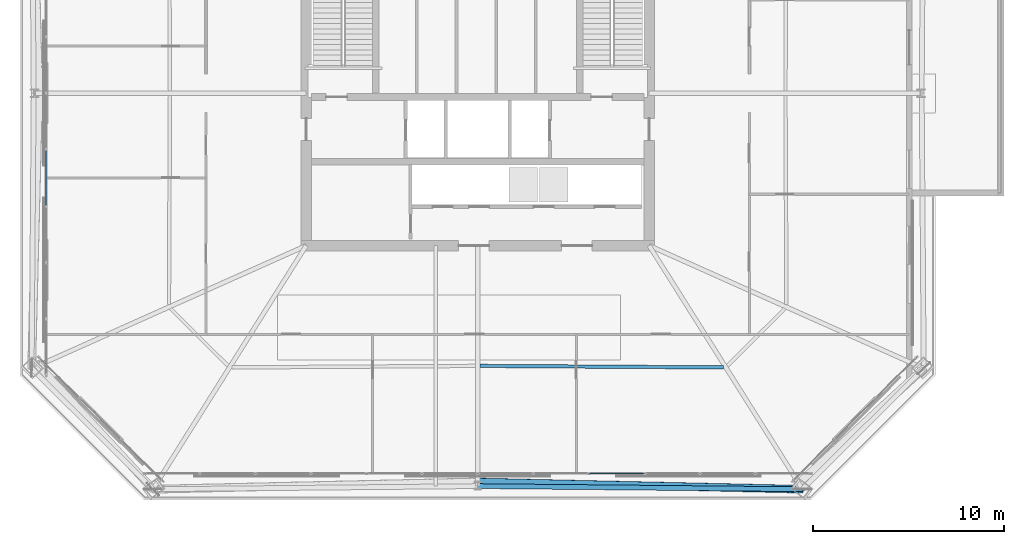
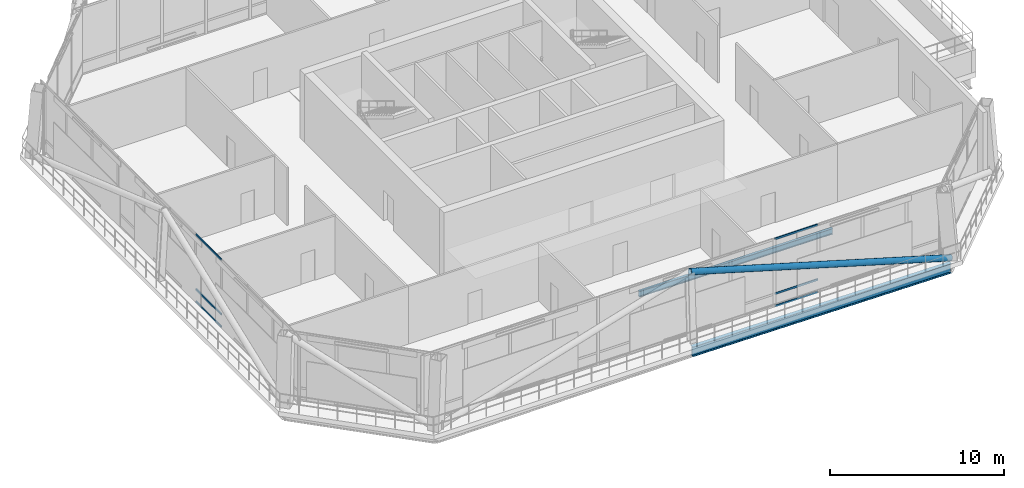
# One storey, part 10 of 34: 7 members, 2 beams, 2 elements without a shape of their own.
"""IFC4 building model written with IfcOpenShell, lengths in metres."""

from ifc_helpers import new_model, si_unit, direction, frame, origin, origin_2d, place, context, subcontext, project, spatial, hollow_rectangle, hollow_circle, i_section, extrude, material, layer, layer_set, material_profile, profile_set, type_object, element, aggregate, save


model = new_model("IFC4")

# Units and contexts
model_context = context("Model", 3, precision=1e-05, world=origin(), true_north=direction((0.0, 1.0)))
body_context = subcontext(model_context, "Body", "Model", "MODEL_VIEW")
ifc_project = project(units=[si_unit("LENGTHUNIT", "METRE"), si_unit("AREAUNIT", "SQUARE_METRE"), si_unit("VOLUMEUNIT", "CUBIC_METRE"), si_unit("PLANEANGLEUNIT", "RADIAN"), si_unit("MASSUNIT", "GRAM", prefix="KILO")], contexts=[model_context])

# Site, building, storey
site_placement = place(None, origin())
site = spatial("IfcSite", under=ifc_project, at=site_placement, CompositionType="ELEMENT")
building_placement = place(site_placement, origin())
building = spatial("IfcBuilding", under=site, at=building_placement, Name="Caelvoria Tower", CompositionType="ELEMENT")
storey_placement = place(building_placement, frame((0.0, 0.0, 172.0)))
storey = spatial("IfcBuildingStorey", under=building, at=storey_placement, Name="L45", CompositionType="ELEMENT", Elevation=172.0)

# Curtain wall, members
ifc_material_1 = material(Name="Anodised Bronze Aluminium and Low-E Glass", Category="aluminium")
ifc_layer = layer(ifc_material_1, 0.2099609375, Name="Anodised Bronze Aluminium and Low-E Glass")
ifc_layer_set = layer_set([ifc_layer], Name="CW System 3 Sky Lobby Double-Height Acoustic Facade - Anodised Bronze Aluminium and Low-E Glass")
curtain_wall_type = type_object("IfcCurtainWallType", Name="CW System 3 Sky Lobby Double-Height Acoustic Facade", PredefinedType="NOTDEFINED", material=ifc_layer_set)
curtain_wall_1_placement = place(storey_placement, origin())
curtain_wall_1 = element("IfcCurtainWall", 1, at=curtain_wall_1_placement, inside=storey, type_object=curtain_wall_type, Name="CW-03 Curtain Wall L45-E0", PredefinedType="NOTDEFINED")
ifc_material_2 = material(Name="Anodised Bronze Architectural Aluminium", Category="aluminium")
ifc_material_profile_1 = material_profile(ifc_material_2, hollow_rectangle(XDim=0.06494140625, YDim=0.1298828125, WallThickness=0.00341796875, at=origin_2d()), Name="Anodised Bronze Architectural Aluminium")
ifc_profile_set_1 = profile_set([ifc_material_profile_1], Name="CW_TRAN_65X130 - Anodised Bronze Architectural Aluminium")
member_type_1 = type_object("IfcMemberType", Name="Curtain Wall Transom 65x130 Bronze Aluminium", PredefinedType="USERDEFINED", material=ifc_profile_set_1)
member_1_placement = place(storey_placement, frame((51.868408203125, 12.0400390625, 0.032470703125), z_axis=(1.0, 0.0, 0.0), x_axis=(0.0, 1.0, 0.0)))
member_1 = element("IfcMember", 2, at=member_1_placement, type_object=member_type_1, Name="CW-03 transom 9.1", ObjectType="TRANSOM", PredefinedType="USERDEFINED", context=body_context, shape_type="SweptSolid", body=[
    extrude(hollow_rectangle(XDim=0.06494140625, YDim=0.1298828125, WallThickness=0.00341796875, at=origin_2d()), origin(), (0.0, 0.0, 1.0), 2.8466796875),
])
member_2_placement = place(storey_placement, frame((51.868408203125, 12.0400390625, 0.89990234375), z_axis=(1.0, 0.0, 0.0), x_axis=(0.0, 1.0, 0.0)))
member_2 = element("IfcMember", 3, at=member_2_placement, type_object=member_type_1, Name="CW-03 transom 9.2", ObjectType="TRANSOM", PredefinedType="USERDEFINED", context=body_context, shape_type="SweptSolid", body=[
    extrude(hollow_rectangle(XDim=0.06494140625, YDim=0.1298828125, WallThickness=0.00341796875, at=origin_2d()), origin(), (0.0, 0.0, 1.0), 2.8466796875),
])
member_3_placement = place(storey_placement, frame((51.868408203125, 12.0400390625, 4.7275390625), z_axis=(1.0, 0.0, 0.0), x_axis=(0.0, 1.0, 0.0)))
member_3 = element("IfcMember", 4, at=member_3_placement, type_object=member_type_1, Name="CW-03 transom 9.3", ObjectType="TRANSOM", PredefinedType="USERDEFINED", context=body_context, shape_type="SweptSolid", body=[
    extrude(hollow_rectangle(XDim=0.06494140625, YDim=0.1298828125, WallThickness=0.00341796875, at=origin_2d()), origin(), (0.0, 0.0, 1.0), 2.8466796875),
])
aggregate(curtain_wall_1, [member_1, member_2, member_3])

curtain_wall_2_placement = place(storey_placement, origin())
curtain_wall_2 = element("IfcCurtainWall", 5, at=curtain_wall_2_placement, inside=storey, type_object=curtain_wall_type, Name="CW-03 Curtain Wall L45-E6", PredefinedType="NOTDEFINED")
member_4_placement = place(storey_placement, frame((23.360107421875, 29.0009765625, 0.032470703125), z_axis=(0.0, -1.0, 0.0), x_axis=(1.0, 0.0, 0.0)))
member_4 = element("IfcMember", 6, at=member_4_placement, type_object=member_type_1, Name="CW-03 transom 7.1", ObjectType="TRANSOM", PredefinedType="USERDEFINED", context=body_context, shape_type="SweptSolid", body=[
    extrude(hollow_rectangle(XDim=0.06494140625, YDim=0.1298828125, WallThickness=0.00341796875, at=origin_2d()), origin(), (0.0, 0.0, 1.0), 2.89404296875),
])
member_5_placement = place(storey_placement, frame((23.360107421875, 29.0009765625, 0.89990234375), z_axis=(0.0, -1.0, 0.0), x_axis=(1.0, 0.0, 0.0)))
member_5 = element("IfcMember", 7, at=member_5_placement, type_object=member_type_1, Name="CW-03 transom 7.2", ObjectType="TRANSOM", PredefinedType="USERDEFINED", context=body_context, shape_type="SweptSolid", body=[
    extrude(hollow_rectangle(XDim=0.06494140625, YDim=0.1298828125, WallThickness=0.00341796875, at=origin_2d()), origin(), (0.0, 0.0, 1.0), 2.89404296875),
])
member_6_placement = place(storey_placement, frame((23.360107421875, 29.0009765625, 4.7275390625), z_axis=(0.0, -1.0, 0.0), x_axis=(1.0, 0.0, 0.0)))
member_6 = element("IfcMember", 8, at=member_6_placement, type_object=member_type_1, Name="CW-03 transom 7.3", ObjectType="TRANSOM", PredefinedType="USERDEFINED", context=body_context, shape_type="SweptSolid", body=[
    extrude(hollow_rectangle(XDim=0.06494140625, YDim=0.1298828125, WallThickness=0.00341796875, at=origin_2d()), origin(), (0.0, 0.0, 1.0), 2.89404296875),
])
aggregate(curtain_wall_2, [member_4, member_5, member_6])

# Beams
ifc_material_3 = material(Name="Structural Steel ASTM A992 Gr.50", Category="steel")
ifc_material_profile_2 = material_profile(ifc_material_3, i_section(OverallWidth=0.25390625, OverallDepth=0.68798828125, WebThickness=0.01318359375, FlangeThickness=0.02099609375, FilletRadius=0.01904296875, at=origin_2d()), Name="Structural Steel ASTM A992 Gr.50")
ifc_profile_set_2 = profile_set([ifc_material_profile_2], Name="W690X152 - Structural Steel ASTM A992 Gr.50")
beam_type_1 = type_object("IfcBeamType", Name="Perimeter Spandrel Girder W690X152", PredefinedType="BEAM", material=ifc_profile_set_2)
beam_1_placement = place(storey_placement, frame((46.0, 11.3798828125, -0.6640625), z_axis=(0.999954221893, -0.009568391638, 0.0), x_axis=(0.009568391638, 0.999954221893, 0.0)))
element("IfcBeam", 9, at=beam_1_placement, inside=storey, type_object=beam_type_1, Name="Perimeter Spandrel Girder L45-01", PredefinedType="BEAM", context=body_context, shape_type="SweptSolid", body=[
    extrude(i_section(OverallWidth=0.25390625, OverallDepth=0.68798828125, WebThickness=0.01318359375, FlangeThickness=0.02099609375, FilletRadius=0.01904296875, at=origin_2d()), origin(), (0.0, 0.0, 1.0), 17.044189453125),
])
ifc_material_profile_3 = material_profile(ifc_material_3, i_section(OverallWidth=0.177978515625, OverallDepth=0.406982421875, WebThickness=0.0078125, FlangeThickness=0.0126953125, FilletRadius=0.013916015625, at=origin_2d()), Name="Structural Steel ASTM A992 Gr.50")
ifc_profile_set_3 = profile_set([ifc_material_profile_3], Name="W410X60 - Structural Steel ASTM A992 Gr.50")
beam_type_2 = type_object("IfcBeamType", Name="Secondary Floor Beam W410X60", PredefinedType="BEAM", material=ifc_profile_set_3)
beam_2_placement = place(storey_placement, frame((46.125, 17.689208984375, -0.5234375), z_axis=(0.99998034443, -0.00626982878, 0.0), x_axis=(0.00626982878, 0.99998034443, 0.0)))
element("IfcBeam", 10, at=beam_2_placement, inside=storey, type_object=beam_type_2, Name="Secondary Floor Beam L45-01", PredefinedType="BEAM", context=body_context, shape_type="SweptSolid", body=[
    extrude(i_section(OverallWidth=0.177978515625, OverallDepth=0.406982421875, WebThickness=0.0078125, FlangeThickness=0.0126953125, FilletRadius=0.013916015625, at=origin_2d()), origin(), (0.0, 0.0, 1.0), 12.77197265625),
])

# Member
ifc_material_4 = material(Name="Structural Steel ASTM A572 Gr.50", Category="steel")
ifc_material_profile_4 = material_profile(ifc_material_4, hollow_circle(Radius=0.202880859375, WallThickness=0.01611328125, at=origin_2d()), Name="Structural Steel ASTM A572 Gr.50")
ifc_profile_set_4 = profile_set([ifc_material_profile_4], Name="CHS406X16 - Structural Steel ASTM A572 Gr.50")
member_type_2 = type_object("IfcMemberType", Name="Upper Perimeter Mega Brace CHS406X16", PredefinedType="BRACE", material=ifc_profile_set_4)
member_7_placement = place(storey_placement, frame((63.04345703125, 11.216796875, 0.0), z_axis=(-0.962916336114, 0.021655617357, 0.268929663447), x_axis=(-0.022483929395, -0.999747204507, 0.0)))
element("IfcMember", 11, at=member_7_placement, inside=storey, type_object=member_type_2, Name="Perimeter Cardinal Mega Brace L45 SB", PredefinedType="BRACE", context=body_context, shape_type="SweptSolid", body=[
    extrude(hollow_circle(Radius=0.202880859375, WallThickness=0.01611328125, at=origin_2d()), origin(), (0.0, 0.0, 1.0), 17.699951171875),
])

save(model, "model.ifc")
